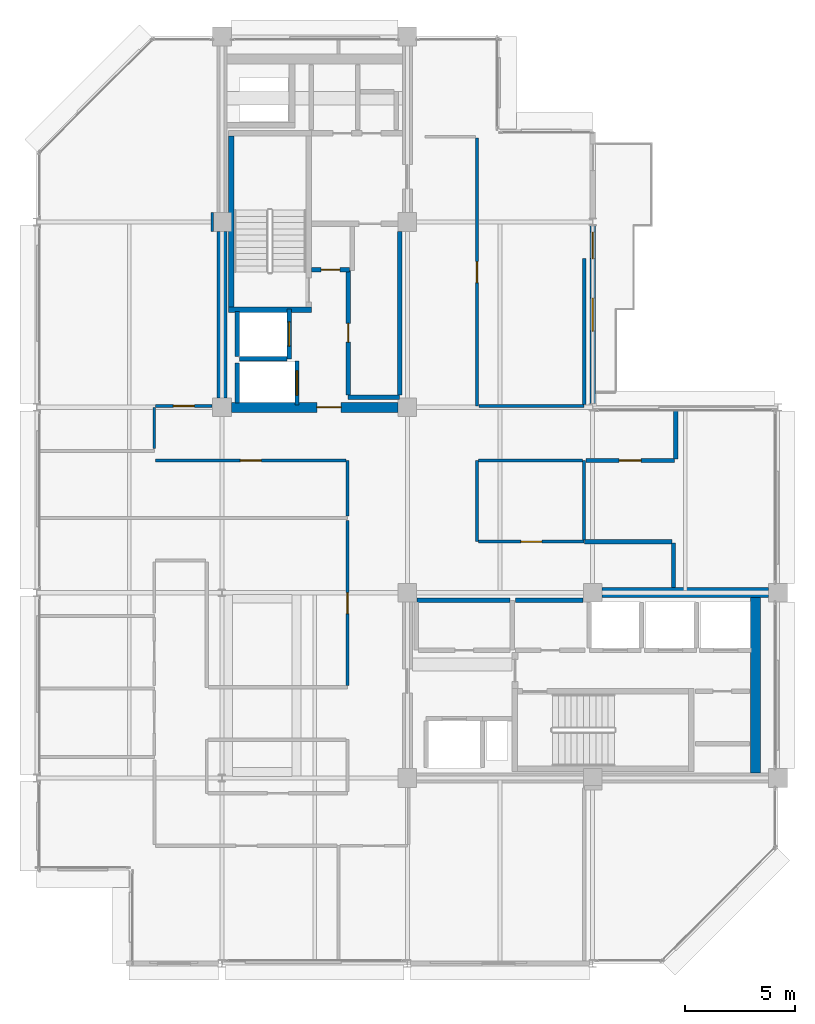
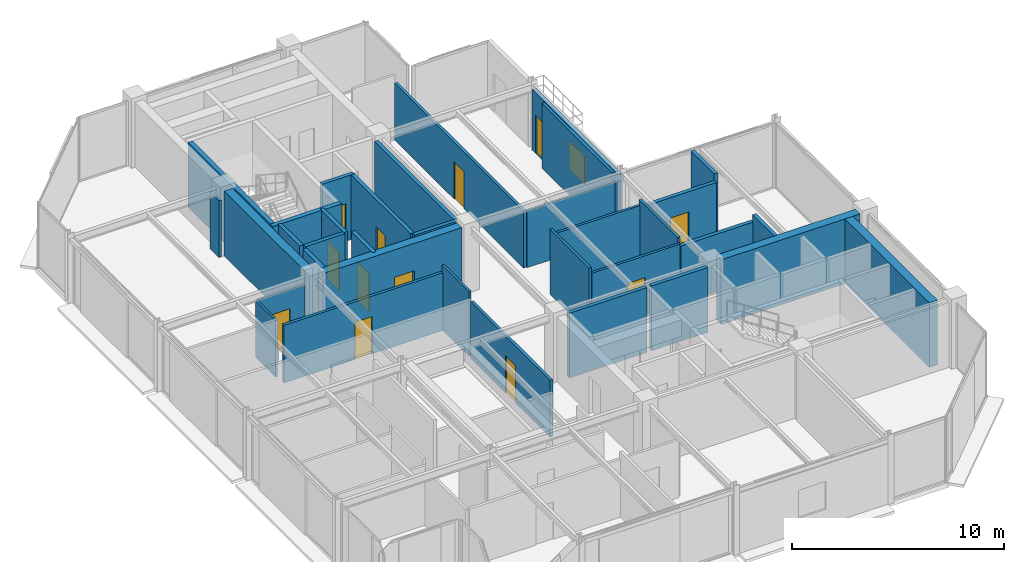
# One storey, part 21 of 25: 35 walls, 12 doors, 1 window, 13 openings.
"""IFC4 building model written with IfcOpenShell, lengths in metres."""

from ifc_helpers import new_model, si_unit, direction, frame, frame_2d, origin, place, context, subcontext, project, spatial, rectangle, extrude, material, layer, layer_set, type_object, element, fill, save


model = new_model("IFC4")

# Units and contexts
model_context = context("Model", 3, precision=1e-05, world=origin(), true_north=direction((0.0, 1.0)))
body_context = subcontext(model_context, "Body", "Model", "MODEL_VIEW")
ifc_project = project(units=[si_unit("LENGTHUNIT", "METRE"), si_unit("AREAUNIT", "SQUARE_METRE"), si_unit("VOLUMEUNIT", "CUBIC_METRE"), si_unit("PLANEANGLEUNIT", "RADIAN"), si_unit("MASSUNIT", "GRAM", prefix="KILO")], contexts=[model_context])

# Site, building, storey
site_placement = place(None, origin())
site = spatial("IfcSite", under=ifc_project, at=site_placement, CompositionType="ELEMENT")
building_placement = place(site_placement, origin())
building = spatial("IfcBuilding", under=site, at=building_placement, Name="Nerrivon Quay Data Exchange", CompositionType="ELEMENT")
storey_placement = place(building_placement, frame((0.0, 0.0, 314.199951171875)))
storey = spatial("IfcBuildingStorey", under=building, at=storey_placement, Name="L75", CompositionType="ELEMENT", Elevation=314.199951171875)

# Wall, openings, door, window
ifc_material_1 = material(Name="Architectural terracotta precast concrete N50 (50 MPa)", Category="masonry")
ifc_layer_1 = layer(ifc_material_1, 0.239990234375)
ifc_layer_set_1 = layer_set([ifc_layer_1], Name="Architectural terracotta precast concrete N50 (50 MPa)")
wall_type_1 = type_object("IfcWallType", Name="EW-PREC-240", PredefinedType="STANDARD", material=ifc_layer_set_1)
wall_1_placement = place(storey_placement, frame((25.199951171875, 33.4365234375, 0.0), z_axis=(0.0, 0.0, 1.0), x_axis=(0.0, -1.0, 0.0)))
wall_1 = element("IfcWall", 1, at=wall_1_placement, inside=storey, type_object=wall_type_1, Name="L75 Terrace Host Wall 20", PredefinedType="STANDARD", context=body_context, shape_type="SweptSolid", body=[
    extrude(rectangle(XDim=8.072998046875, YDim=0.239990234375, at=frame_2d((4.03662109375, 0.0))), origin(), (0.0, 0.0, 1.0), 3.47509765625),
])
opening_1_placement = place(wall_1_placement, frame((0.300048828125, 0.0, 0.0)))
opening_1 = element("IfcOpeningElement", 2, at=opening_1_placement, cuts=wall_1, Name="Opening TD1", PredefinedType="OPENING", context=body_context, shape_type="SweptSolid", body=[
    extrude(rectangle(XDim=1.199951171875, YDim=2.199951171875, at=frame_2d((0.60009765625, 1.10009765625))), frame((0.0, 0.1298828125, 0.0), z_axis=(0.0, -1.0, 0.0), x_axis=(1.0, 0.0, 0.0)), (0.0, 0.0, 1.0), 0.260009765625),
])
opening_2_placement = place(wall_1_placement, frame((3.28662109375, 0.0, 0.89990234375)))
opening_2 = element("IfcOpeningElement", 3, at=opening_2_placement, cuts=wall_1, Name="Opening WN4", PredefinedType="OPENING", context=body_context, shape_type="SweptSolid", body=[
    extrude(rectangle(XDim=1.5, YDim=1.60009765625, at=frame_2d((0.75, 0.800048828125))), frame((0.0, 0.1298828125, 0.0), z_axis=(0.0, -1.0, 0.0), x_axis=(1.0, 0.0, 0.0)), (0.0, 0.0, 1.0), 0.260009765625),
])
ifc_material_2 = material(Name="Double-glazed low-E solar control glass", Category="glass")
door_type_1 = type_object("IfcDoorType", Name="DR-TERR-1200x2200", OperationType="NOTDEFINED", PredefinedType="DOOR", material=ifc_material_2)
door_1_placement = place(opening_1_placement, origin())
door_1 = element("IfcDoor", 4, at=door_1_placement, inside=storey, type_object=door_type_1, Name="L75 Outdoor Terrace Access Door 20", OperationType="SINGLE_SWING_LEFT", OverallHeight=2.199951171875, OverallWidth=1.199951171875, PredefinedType="DOOR", context=body_context, shape_type="SweptSolid", body=[
    extrude(rectangle(XDim=1.199951171875, YDim=2.199951171875, at=frame_2d((0.60009765625, 1.10009765625))), frame((0.0, 0.02490234375, 0.0), z_axis=(0.0, -1.0, 0.0), x_axis=(1.0, 0.0, 0.0)), (0.0, 0.0, 1.0), 0.050048828125),
])
fill(opening_1, door_1)
window_type = type_object("IfcWindowType", Name="WIN-W4-1500x1600", PartitioningType="SINGLE_PANEL", PredefinedType="WINDOW", material=ifc_material_2)
window_placement = place(opening_2_placement, origin())
window = element("IfcWindow", 5, at=window_placement, inside=storey, type_object=window_type, Name="L75 Terrace Side Window 20", OverallHeight=1.60009765625, OverallWidth=1.5, PartitioningType="SINGLE_PANEL", PredefinedType="WINDOW", context=body_context, shape_type="SweptSolid", body=[
    extrude(rectangle(XDim=1.5, YDim=1.60009765625, at=frame_2d((0.75, 0.800048828125))), frame((0.0, 0.030029296875, 0.0), z_axis=(0.0, -1.0, 0.0), x_axis=(1.0, 0.0, 0.0)), (0.0, 0.0, 1.0), 0.06005859375),
])
fill(opening_2, window)

# Wall
ifc_material_3 = material(Name="Concrete N50 (50 MPa)", Category="concrete")
ifc_layer_2 = layer(ifc_material_3, 0.449951171875)
ifc_layer_set_2 = layer_set([ifc_layer_2], Name="Concrete N50 (50 MPa)")
wall_type_2 = type_object("IfcWallType", Name="WALL-CW-550", PredefinedType="SHEAR", material=ifc_layer_set_2)
wall_2_placement = place(storey_placement, frame((8.39990234375, 25.625, 0.0), z_axis=(0.0, 0.0, 1.0), x_axis=(0.0, 1.0, 0.0)))
element("IfcWall", 6, at=wall_2_placement, inside=storey, type_object=wall_type_2, Name="L75 West Split-Core Shear Wall WCW-W1", PredefinedType="SHEAR", context=body_context, shape_type="SweptSolid", body=[
    extrude(rectangle(XDim=7.550048828125, YDim=0.449951171875, at=frame_2d((3.77490234375, 0.0))), origin(), (0.0, 0.0, 1.0), 3.72509765625),
])

# Wall, opening, door
wall_3_placement = place(storey_placement, frame((8.824951171875, 25.199951171875, 0.0), z_axis=(0.0, 0.0, 1.0), x_axis=(1.0, 0.0, 0.0)))
wall_3 = element("IfcWall", 7, at=wall_3_placement, inside=storey, type_object=wall_type_2, Name="L75 West Split-Core Shear Wall WCW-S1", PredefinedType="SHEAR", context=body_context, shape_type="SweptSolid", body=[
    extrude(rectangle(XDim=7.550048828125, YDim=0.449951171875, at=frame_2d((3.77490234375, 0.0))), origin(), (0.0, 0.0, 1.0), 3.72509765625),
])
opening_3_placement = place(wall_3_placement, frame((3.875, 0.0, 0.0)))
opening_3 = element("IfcOpeningElement", 8, at=opening_3_placement, cuts=wall_3, Name="Opening FD-120", PredefinedType="OPENING", context=body_context, shape_type="SweptSolid", body=[
    extrude(rectangle(XDim=1.10009765625, YDim=2.14990234375, at=frame_2d((0.550048828125, 1.074951171875))), frame((0.0, 0.23486328125, 0.0), z_axis=(0.0, -1.0, 0.0), x_axis=(1.0, 0.0, 0.0)), (0.0, 0.0, 1.0), 0.469970703125),
])
ifc_material_4 = material(Name="Powder-coated galvanized steel sheet", Category="steel")
door_type_2 = type_object("IfcDoorType", Name="DR-FD120-1100", OperationType="NOTDEFINED", PredefinedType="DOOR", material=ifc_material_4)
door_2_placement = place(opening_3_placement, origin())
door_2 = element("IfcDoor", 9, at=door_2_placement, inside=storey, type_object=door_type_2, Name="L75 West Core Lobby Fire Door", OperationType="SINGLE_SWING_RIGHT", OverallHeight=2.14990234375, OverallWidth=1.10009765625, PredefinedType="DOOR", context=body_context, shape_type="SweptSolid", body=[
    extrude(rectangle(XDim=1.10009765625, YDim=2.14990234375, at=frame_2d((0.550048828125, 1.074951171875))), frame((0.0, 0.02490234375, 0.0), z_axis=(0.0, -1.0, 0.0), x_axis=(1.0, 0.0, 0.0)), (0.0, 0.0, 1.0), 0.050048828125),
])
fill(opening_3, door_2)

# Walls
wall_4_placement = place(storey_placement, frame((32.574951171875, 8.625, 0.0), z_axis=(0.0, 0.0, 1.0), x_axis=(0.0, 1.0, 0.0)))
element("IfcWall", 10, at=wall_4_placement, inside=storey, type_object=wall_type_2, Name="L75 East Split-Core Shear Wall ECW-E1", PredefinedType="SHEAR", context=body_context, shape_type="SweptSolid", body=[
    extrude(rectangle(XDim=7.949951171875, YDim=0.449951171875, at=frame_2d((3.97509765625, 0.0))), origin(), (0.0, 0.0, 1.0), 3.72509765625),
])
wall_5_placement = place(storey_placement, frame((25.625, 16.800048828125, 0.0), z_axis=(0.0, 0.0, 1.0), x_axis=(1.0, 0.0, 0.0)))
element("IfcWall", 11, at=wall_5_placement, inside=storey, type_object=wall_type_2, Name="L75 East Split-Core Shear Wall ECW-N1", PredefinedType="SHEAR", context=body_context, shape_type="SweptSolid", body=[
    extrude(rectangle(XDim=7.550048828125, YDim=0.449951171875, at=frame_2d((3.77490234375, 0.0))), origin(), (0.0, 0.0, 1.0), 3.72509765625),
])

# Wall, opening, door
ifc_material_5 = material(Name="Gypsum plasterboard on cold-formed framing", Category="gypsum")
ifc_layer_3 = layer(ifc_material_5, 0.199951171875)
ifc_layer_set_3 = layer_set([ifc_layer_3], Name="Gypsum plasterboard on cold-formed framing")
wall_type_3 = type_object("IfcWallType", Name="WALL-FW-200", PredefinedType="PARTITIONING", material=ifc_layer_set_3)
wall_6_placement = place(storey_placement, frame((11.449951171875, 27.39990234375, 0.0), z_axis=(0.0, 0.0, 1.0), x_axis=(0.0, 1.0, 0.0)))
wall_6 = element("IfcWall", 12, at=wall_6_placement, inside=storey, type_object=wall_type_3, Name="L75 Lift Front Wall FFL-1", PredefinedType="PARTITIONING", context=body_context, shape_type="SweptSolid", body=[
    extrude(rectangle(XDim=2.25, YDim=0.199951171875, at=frame_2d((1.125, 0.0))), origin(), (0.0, 0.0, 1.0), 3.72509765625),
])
opening_4_placement = place(wall_6_placement, frame((0.574951171875, 0.0, 0.0)))
opening_4 = element("IfcOpeningElement", 13, at=opening_4_placement, cuts=wall_6, Name="Opening LD-120", PredefinedType="OPENING", context=body_context, shape_type="SweptSolid", body=[
    extrude(rectangle(XDim=1.10009765625, YDim=2.199951171875, at=frame_2d((0.550048828125, 1.10009765625))), frame((0.0, 0.10986328125, 0.0), z_axis=(0.0, -1.0, 0.0), x_axis=(1.0, 0.0, 0.0)), (0.0, 0.0, 1.0), 0.219970703125),
])
door_type_3 = type_object("IfcDoorType", Name="DR-LIFT-LD120", OperationType="DOUBLE_DOOR_SLIDING", PredefinedType="DOOR", material=ifc_material_4)
door_3_placement = place(opening_4_placement, origin())
door_3 = element("IfcDoor", 14, at=door_3_placement, inside=storey, type_object=door_type_3, Name="L75 Lift Landing Sliding Door FFL-1", OperationType="DOUBLE_DOOR_SLIDING", OverallHeight=2.199951171875, OverallWidth=1.10009765625, PredefinedType="DOOR", context=body_context, shape_type="SweptSolid", body=[
    extrude(rectangle(XDim=1.10009765625, YDim=2.199951171875, at=frame_2d((0.550048828125, 1.10009765625))), frame((0.0, 0.02490234375, 0.0), z_axis=(0.0, -1.0, 0.0), x_axis=(1.0, 0.0, 0.0)), (0.0, 0.0, 1.0), 0.050048828125),
])
fill(opening_4, door_3)

# Walls
wall_7_placement = place(storey_placement, frame((9.10009765625, 27.5, 0.0), z_axis=(0.0, 0.0, 1.0), x_axis=(0.0, 1.0, 0.0)))
element("IfcWall", 15, at=wall_7_placement, inside=storey, type_object=wall_type_3, Name="L75 Lift Shaft Wall FFL-1 WEST", PredefinedType="PARTITIONING", context=body_context, shape_type="SweptSolid", body=[
    extrude(rectangle(XDim=2.050048828125, YDim=0.199951171875, at=frame_2d((1.02490234375, 0.0))), origin(), (0.0, 0.0, 1.0), 3.72509765625),
])
wall_8_placement = place(storey_placement, frame((9.199951171875, 27.39990234375, 0.0), z_axis=(0.0, 0.0, 1.0), x_axis=(1.0, 0.0, 0.0)))
element("IfcWall", 16, at=wall_8_placement, inside=storey, type_object=wall_type_3, Name="L75 Lift Shaft Wall FFL-1 SOUTH", PredefinedType="PARTITIONING", context=body_context, shape_type="SweptSolid", body=[
    extrude(rectangle(XDim=2.150146484375, YDim=0.199951171875, at=frame_2d((1.0751953125, 0.0))), origin(), (0.0, 0.0, 1.0), 3.72509765625),
])

# Wall, opening, door
wall_9_placement = place(storey_placement, frame((11.800048828125, 25.300048828125, 0.0), z_axis=(0.0, 0.0, 1.0), x_axis=(0.0, 1.0, 0.0)))
wall_9 = element("IfcWall", 17, at=wall_9_placement, inside=storey, type_object=wall_type_3, Name="L75 Lift Front Wall SVL-1", PredefinedType="PARTITIONING", context=body_context, shape_type="SweptSolid", body=[
    extrude(rectangle(XDim=2.0, YDim=0.199951171875, at=frame_2d((1.0, 0.0))), origin(), (0.0, 0.0, 1.0), 3.72509765625),
])
opening_5_placement = place(wall_9_placement, frame((0.449951171875, 0.0, 0.0)))
opening_5 = element("IfcOpeningElement", 18, at=opening_5_placement, cuts=wall_9, Name="Opening LD-120", PredefinedType="OPENING", context=body_context, shape_type="SweptSolid", body=[
    extrude(rectangle(XDim=1.10009765625, YDim=2.199951171875, at=frame_2d((0.550048828125, 1.10009765625))), frame((0.0, 0.10986328125, 0.0), z_axis=(0.0, -1.0, 0.0), x_axis=(1.0, 0.0, 0.0)), (0.0, 0.0, 1.0), 0.219970703125),
])
door_4_placement = place(opening_5_placement, origin())
door_4 = element("IfcDoor", 19, at=door_4_placement, inside=storey, type_object=door_type_3, Name="L75 Lift Landing Sliding Door SVL-1", OperationType="DOUBLE_DOOR_SLIDING", OverallHeight=2.199951171875, OverallWidth=1.10009765625, PredefinedType="DOOR", context=body_context, shape_type="SweptSolid", body=[
    extrude(rectangle(XDim=1.10009765625, YDim=2.199951171875, at=frame_2d((0.550048828125, 1.10009765625))), frame((0.0, 0.02490234375, 0.0), z_axis=(0.0, -1.0, 0.0), x_axis=(1.0, 0.0, 0.0)), (0.0, 0.0, 1.0), 0.050048828125),
])
fill(opening_5, door_4)

# Walls
wall_10_placement = place(storey_placement, frame((9.10009765625, 25.39990234375, 0.0), z_axis=(0.0, 0.0, 1.0), x_axis=(0.0, 1.0, 0.0)))
element("IfcWall", 20, at=wall_10_placement, inside=storey, type_object=wall_type_3, Name="L75 Lift Shaft Wall SVL-1 WEST", PredefinedType="PARTITIONING", context=body_context, shape_type="SweptSolid", body=[
    extrude(rectangle(XDim=1.800048828125, YDim=0.199951171875, at=frame_2d((0.89990234375, 0.0))), origin(), (0.0, 0.0, 1.0), 3.72509765625),
])
wall_11_placement = place(storey_placement, frame((14.1201171875, 25.64990234375, 0.0), z_axis=(0.0, 0.0, 1.0), x_axis=(1.0, 0.0, 0.0)))
element("IfcWall", 21, at=wall_11_placement, inside=storey, type_object=wall_type_3, Name="L75 Partition Core Equipment Store", PredefinedType="PARTITIONING", context=body_context, shape_type="SweptSolid", body=[
    extrude(rectangle(XDim=2.329833984375, YDim=0.199951171875, at=frame_2d((1.1650390625, 0.0))), origin(), (0.0, 0.0, 1.0), 3.72509765625),
])
wall_12_placement = place(storey_placement, frame((16.449951171875, 25.75390625, 0.0), z_axis=(0.0, 0.0, 1.0), x_axis=(0.0, 1.0, 0.0)))
element("IfcWall", 22, at=wall_12_placement, inside=storey, type_object=wall_type_3, Name="L75 Partition Core Equipment Store", PredefinedType="PARTITIONING", context=body_context, shape_type="SweptSolid", body=[
    extrude(rectangle(XDim=7.416015625, YDim=0.199951171875, at=frame_2d((3.7080078125, 0.0))), origin(), (0.0, 0.0, 1.0), 3.72509765625),
])

# Wall, opening, door
wall_13_placement = place(storey_placement, frame((14.1201171875, 31.39990234375, 0.0), z_axis=(0.0, 0.0, 1.0), x_axis=(0.0, -1.0, 0.0)))
wall_13 = element("IfcWall", 23, at=wall_13_placement, inside=storey, type_object=wall_type_3, Name="L75 Partition Core Equipment Store", PredefinedType="PARTITIONING", context=body_context, shape_type="SweptSolid", body=[
    extrude(rectangle(XDim=5.64599609375, YDim=0.199951171875, at=frame_2d((2.822998046875, 0.0))), origin(), (0.0, 0.0, 1.0), 3.72509765625),
])
opening_6_placement = place(wall_13_placement, frame((2.39794921875, 0.0, 0.0)))
opening_6 = element("IfcOpeningElement", 24, at=opening_6_placement, cuts=wall_13, Name="Opening FD-60S", PredefinedType="OPENING", context=body_context, shape_type="SweptSolid", body=[
    extrude(rectangle(XDim=0.85009765625, YDim=2.14990234375, at=frame_2d((0.425048828125, 1.074951171875))), frame((0.0, 0.10986328125, 0.0), z_axis=(0.0, -1.0, 0.0), x_axis=(1.0, 0.0, 0.0)), (0.0, 0.0, 1.0), 0.219970703125),
])
ifc_material_6 = material(Name="Engineered hardwood timber", Category="wood")
door_type_4 = type_object("IfcDoorType", Name="DR-FD60-850", OperationType="NOTDEFINED", PredefinedType="DOOR", material=ifc_material_6)
door_5_placement = place(opening_6_placement, origin())
door_5 = element("IfcDoor", 25, at=door_5_placement, inside=storey, type_object=door_type_4, Name="L75 Door Core Equipment Store", OperationType="SINGLE_SWING_RIGHT", OverallHeight=2.14990234375, OverallWidth=0.85009765625, PredefinedType="DOOR", context=body_context, shape_type="SweptSolid", body=[
    extrude(rectangle(XDim=0.85009765625, YDim=2.14990234375, at=frame_2d((0.425048828125, 1.074951171875))), frame((0.0, 0.02490234375, 0.0), z_axis=(0.0, -1.0, 0.0), x_axis=(1.0, 0.0, 0.0)), (0.0, 0.0, 1.0), 0.050048828125),
])
fill(opening_6, door_5)

wall_14_placement = place(storey_placement, frame((12.4541015625, 31.43994140625, 0.0), z_axis=(0.0, 0.0, 1.0), x_axis=(1.0, 0.0, 0.0)))
wall_14 = element("IfcWall", 26, at=wall_14_placement, inside=storey, type_object=wall_type_3, Name="L75 Partition Optical Patch Closet", PredefinedType="PARTITIONING", context=body_context, shape_type="SweptSolid", body=[
    extrude(rectangle(XDim=1.725830078125, YDim=0.199951171875, at=frame_2d((0.86279296875, 0.0))), origin(), (0.0, 0.0, 1.0), 3.72509765625),
])
opening_7_placement = place(wall_14_placement, frame((0.43798828125, 0.0, 0.0)))
opening_7 = element("IfcOpeningElement", 27, at=opening_7_placement, cuts=wall_14, Name="Opening FD-60S", PredefinedType="OPENING", context=body_context, shape_type="SweptSolid", body=[
    extrude(rectangle(XDim=0.85009765625, YDim=2.14990234375, at=frame_2d((0.425048828125, 1.074951171875))), frame((0.0, 0.10986328125, 0.0), z_axis=(0.0, -1.0, 0.0), x_axis=(1.0, 0.0, 0.0)), (0.0, 0.0, 1.0), 0.219970703125),
])
door_6_placement = place(opening_7_placement, origin())
door_6 = element("IfcDoor", 28, at=door_6_placement, inside=storey, type_object=door_type_4, Name="L75 Door Optical Patch Closet", OperationType="SINGLE_SWING_LEFT", OverallHeight=2.14990234375, OverallWidth=0.85009765625, PredefinedType="DOOR", context=body_context, shape_type="SweptSolid", body=[
    extrude(rectangle(XDim=0.85009765625, YDim=2.14990234375, at=frame_2d((0.425048828125, 1.074951171875))), frame((0.0, 0.02490234375, 0.0), z_axis=(0.0, -1.0, 0.0), x_axis=(1.0, 0.0, 0.0)), (0.0, 0.0, 1.0), 0.050048828125),
])
fill(opening_7, door_6)

# Walls
wall_15_placement = place(storey_placement, frame((21.446044921875, 16.449951171875, 0.0), z_axis=(0.0, 0.0, 1.0), x_axis=(-1.0, 0.0, 0.0)))
element("IfcWall", 29, at=wall_15_placement, inside=storey, type_object=wall_type_3, Name="L75 Partition High-Zone Calibration Store", PredefinedType="PARTITIONING", context=body_context, shape_type="SweptSolid", body=[
    extrude(rectangle(XDim=4.216064453125, YDim=0.199951171875, at=frame_2d((2.10791015625, 0.0))), origin(), (0.0, 0.0, 1.0), 3.72509765625),
])
wall_16_placement = place(storey_placement, frame((24.77001953125, 16.449951171875, 0.0), z_axis=(0.0, 0.0, 1.0), x_axis=(-1.0, 0.0, 0.0)))
element("IfcWall", 30, at=wall_16_placement, inside=storey, type_object=wall_type_3, Name="L75 Partition High-Zone Network Closet", PredefinedType="PARTITIONING", context=body_context, shape_type="SweptSolid", body=[
    extrude(rectangle(XDim=3.070068359375, YDim=0.199951171875, at=frame_2d((1.53515625, 0.0))), origin(), (0.0, 0.0, 1.0), 3.72509765625),
])
wall_17_placement = place(storey_placement, frame((28.9599609375, 25.031005859375, 0.0), z_axis=(0.0, 0.0, 1.0), x_axis=(0.0, -1.0, 0.0)))
element("IfcWall", 31, at=wall_17_placement, inside=storey, type_object=wall_type_3, Name="L75 Partition Colocation Data Workspace 1", PredefinedType="PARTITIONING", context=body_context, shape_type="SweptSolid", body=[
    extrude(rectangle(XDim=2.180908203125, YDim=0.199951171875, at=frame_2d((1.09033203125, 0.0))), origin(), (0.0, 0.0, 1.0), 3.72509765625),
])

# Wall, opening, door
wall_18_placement = place(storey_placement, frame((28.89990234375, 22.7900390625, 0.0), z_axis=(0.0, 0.0, 1.0), x_axis=(-1.0, 0.0, 0.0)))
wall_18 = element("IfcWall", 32, at=wall_18_placement, inside=storey, type_object=wall_type_3, Name="L75 Partition Colocation Data Workspace 1", PredefinedType="PARTITIONING", context=body_context, shape_type="SweptSolid", body=[
    extrude(rectangle(XDim=4.012451171875, YDim=0.199951171875, at=frame_2d((2.00634765625, 0.0))), origin(), (0.0, 0.0, 1.0), 3.319091796875),
])
opening_8_placement = place(wall_18_placement, frame((1.506103515625, 0.0, 0.0)))
opening_8 = element("IfcOpeningElement", 33, at=opening_8_placement, cuts=wall_18, Name="Opening FD-60", PredefinedType="OPENING", context=body_context, shape_type="SweptSolid", body=[
    extrude(rectangle(XDim=1.0, YDim=2.14990234375, at=frame_2d((0.5, 1.074951171875))), frame((0.0, 0.10986328125, 0.0), z_axis=(0.0, -1.0, 0.0), x_axis=(1.0, 0.0, 0.0)), (0.0, 0.0, 1.0), 0.219970703125),
])
door_type_5 = type_object("IfcDoorType", Name="DR-FD60-1000", OperationType="NOTDEFINED", PredefinedType="DOOR", material=ifc_material_6)
door_7_placement = place(opening_8_placement, origin())
door_7 = element("IfcDoor", 34, at=door_7_placement, inside=storey, type_object=door_type_5, Name="L75 Door Colocation Data Workspace 1", OperationType="SINGLE_SWING_RIGHT", OverallHeight=2.14990234375, OverallWidth=1.0, PredefinedType="DOOR", context=body_context, shape_type="SweptSolid", body=[
    extrude(rectangle(XDim=1.0, YDim=2.14990234375, at=frame_2d((0.5, 1.074951171875))), frame((0.0, 0.02490234375, 0.0), z_axis=(0.0, -1.0, 0.0), x_axis=(1.0, 0.0, 0.0)), (0.0, 0.0, 1.0), 0.050048828125),
])
fill(opening_8, door_7)

# Walls
wall_19_placement = place(storey_placement, frame((24.8359375, 19.110107421875, 0.0), z_axis=(0.0, 0.0, 1.0), x_axis=(1.0, 0.0, 0.0)))
element("IfcWall", 35, at=wall_19_placement, inside=storey, type_object=wall_type_3, Name="L75 Partition Colocation Data Workspace 1", PredefinedType="PARTITIONING", context=body_context, shape_type="SweptSolid", body=[
    extrude(rectangle(XDim=3.964111328125, YDim=0.199951171875, at=frame_2d((1.98193359375, 0.0))), origin(), (0.0, 0.0, 1.0), 3.319091796875),
])
wall_20_placement = place(storey_placement, frame((28.860107421875, 19.050048828125, 0.0), z_axis=(0.0, 0.0, 1.0), x_axis=(0.0, -1.0, 0.0)))
element("IfcWall", 36, at=wall_20_placement, inside=storey, type_object=wall_type_3, Name="L75 Partition Colocation Data Workspace 1", PredefinedType="PARTITIONING", context=body_context, shape_type="SweptSolid", body=[
    extrude(rectangle(XDim=2.02099609375, YDim=0.199951171875, at=frame_2d((1.010498046875, 0.0))), origin(), (0.0, 0.0, 1.0), 3.72509765625),
])
ifc_layer_4 = layer(ifc_material_5, 0.1201171875)
ifc_layer_set_4 = layer_set([ifc_layer_4], Name="Gypsum plasterboard on cold-formed framing")
wall_type_4 = type_object("IfcWallType", Name="WALL-PT-120", PredefinedType="PARTITIONING", material=ifc_layer_set_4)
wall_21_placement = place(storey_placement, frame((14.090087890625, 20.265869140625, 0.0), z_axis=(0.0, 0.0, 1.0), x_axis=(0.0, 1.0, 0.0)))
element("IfcWall", 37, at=wall_21_placement, inside=storey, type_object=wall_type_4, Name="L75 Partition Engineers Lounge", PredefinedType="PARTITIONING", context=body_context, shape_type="SweptSolid", body=[
    extrude(rectangle(XDim=2.524169921875, YDim=0.1201171875, at=frame_2d((1.26220703125, 0.0))), origin(), (0.0, 0.0, 1.0), 3.72509765625),
])
wall_22_placement = place(storey_placement, frame((5.340087890625, 23.33447265625, 0.0), z_axis=(0.0, 0.0, 1.0), x_axis=(0.0, 1.0, 0.0)))
element("IfcWall", 38, at=wall_22_placement, inside=storey, type_object=wall_type_4, Name="L75 Partition Optical Engineering Studios Workspace", PredefinedType="PARTITIONING", context=body_context, shape_type="SweptSolid", body=[
    extrude(rectangle(XDim=1.865478515625, YDim=0.1201171875, at=frame_2d((0.9326171875, 0.0))), origin(), (0.0, 0.0, 1.0), 3.27099609375),
])

# Wall, opening, door
wall_23_placement = place(storey_placement, frame((5.39990234375, 25.260009765625, 0.0), z_axis=(0.0, 0.0, 1.0), x_axis=(1.0, 0.0, 0.0)))
wall_23 = element("IfcWall", 39, at=wall_23_placement, inside=storey, type_object=wall_type_4, Name="L75 Partition Optical Engineering Studios Workspace", PredefinedType="PARTITIONING", context=body_context, shape_type="SweptSolid", body=[
    extrude(rectangle(XDim=2.55517578125, YDim=0.1201171875, at=frame_2d((1.277587890625, 0.0))), origin(), (0.0, 0.0, 1.0), 3.27099609375),
])
opening_9_placement = place(wall_23_placement, frame((0.802490234375, 0.0, 0.0)))
opening_9 = element("IfcOpeningElement", 40, at=opening_9_placement, cuts=wall_23, Name="Opening D-01", PredefinedType="OPENING", context=body_context, shape_type="SweptSolid", body=[
    extrude(rectangle(XDim=0.949951171875, YDim=2.14990234375, at=frame_2d((0.47509765625, 1.074951171875))), frame((0.0, 0.070068359375, 0.0), z_axis=(0.0, -1.0, 0.0), x_axis=(1.0, 0.0, 0.0)), (0.0, 0.0, 1.0), 0.14013671875),
])
door_type_6 = type_object("IfcDoorType", Name="DR-INT-950", OperationType="NOTDEFINED", PredefinedType="DOOR", material=ifc_material_6)
door_8_placement = place(opening_9_placement, origin())
door_8 = element("IfcDoor", 41, at=door_8_placement, inside=storey, type_object=door_type_6, Name="L75 Door Optical Engineering Studios Workspace", OperationType="SINGLE_SWING_LEFT", OverallHeight=2.14990234375, OverallWidth=0.949951171875, PredefinedType="DOOR", context=body_context, shape_type="SweptSolid", body=[
    extrude(rectangle(XDim=0.949951171875, YDim=2.14990234375, at=frame_2d((0.47509765625, 1.074951171875))), frame((0.0, 0.02490234375, 0.0), z_axis=(0.0, -1.0, 0.0), x_axis=(1.0, 0.0, 0.0)), (0.0, 0.0, 1.0), 0.050048828125),
])
fill(opening_9, door_8)

# Walls
wall_24_placement = place(storey_placement, frame((7.955810546875, 33.169189453125, 0.0), z_axis=(0.0, 0.0, 1.0), x_axis=(-0.000855919801, 0.999999633701, 0.0)))
element("IfcWall", 42, at=wall_24_placement, inside=storey, type_object=wall_type_4, Name="L75 Partition Optical Engineering Studios Workspace", PredefinedType="PARTITIONING", context=body_context, shape_type="SweptSolid", body=[
    extrude(rectangle(XDim=0.855712890625, YDim=0.1201171875, at=frame_2d((0.427734375, 0.0))), origin(), (0.0, 0.0, 1.0), 3.27099609375),
])
ifc_layer_5 = layer(ifc_material_5, 0.135009765625)
ifc_layer_set_5 = layer_set([ifc_layer_5], Name="Gypsum plasterboard on cold-formed framing")
wall_type_5 = type_object("IfcWallType", Name="WALL-PT-135", PredefinedType="PARTITIONING", material=ifc_layer_set_5)
wall_25_placement = place(storey_placement, frame((19.9599609375, 22.7900390625, 0.0), z_axis=(0.0, 0.0, 1.0), x_axis=(0.0, -1.0, 0.0)))
element("IfcWall", 43, at=wall_25_placement, inside=storey, type_object=wall_type_5, Name="L75 Partition Client Conference Room 1", PredefinedType="PARTITIONING", context=body_context, shape_type="SweptSolid", body=[
    extrude(rectangle(XDim=3.679931640625, YDim=0.135009765625, at=frame_2d((1.83984375, 0.0))), origin(), (0.0, 0.0, 1.0), 3.72509765625),
])

# Wall, opening, door
wall_26_placement = place(storey_placement, frame((20.031494140625, 19.110107421875, 0.0), z_axis=(0.0, 0.0, 1.0), x_axis=(1.0, 0.0, 0.0)))
wall_26 = element("IfcWall", 44, at=wall_26_placement, inside=storey, type_object=wall_type_5, Name="L75 Partition Client Conference Room 1", PredefinedType="PARTITIONING", context=body_context, shape_type="SweptSolid", body=[
    extrude(rectangle(XDim=4.784423828125, YDim=0.135009765625, at=frame_2d((2.39208984375, 0.0))), origin(), (0.0, 0.0, 1.0), 3.421142578125),
])
opening_10_placement = place(wall_26_placement, frame((1.917236328125, 0.0, 0.0)))
opening_10 = element("IfcOpeningElement", 45, at=opening_10_placement, cuts=wall_26, Name="Opening D-01", PredefinedType="OPENING", context=body_context, shape_type="SweptSolid", body=[
    extrude(rectangle(XDim=0.949951171875, YDim=2.14990234375, at=frame_2d((0.47509765625, 1.074951171875))), frame((0.0, 0.077392578125, 0.0), z_axis=(0.0, -1.0, 0.0), x_axis=(1.0, 0.0, 0.0)), (0.0, 0.0, 1.0), 0.155029296875),
])
door_9_placement = place(opening_10_placement, origin())
door_9 = element("IfcDoor", 46, at=door_9_placement, inside=storey, type_object=door_type_6, Name="L75 Door Client Conference Room 1", OperationType="SINGLE_SWING_RIGHT", OverallHeight=2.14990234375, OverallWidth=0.949951171875, PredefinedType="DOOR", context=body_context, shape_type="SweptSolid", body=[
    extrude(rectangle(XDim=0.949951171875, YDim=2.14990234375, at=frame_2d((0.47509765625, 1.074951171875))), frame((0.0, 0.02490234375, 0.0), z_axis=(0.0, -1.0, 0.0), x_axis=(1.0, 0.0, 0.0)), (0.0, 0.0, 1.0), 0.050048828125),
])
fill(opening_10, door_9)

# Walls
wall_27_placement = place(storey_placement, frame((24.81591796875, 19.181396484375, 0.0), z_axis=(0.0, 0.0, 1.0), x_axis=(0.0, 1.0, 0.0)))
element("IfcWall", 47, at=wall_27_placement, inside=storey, type_object=wall_type_5, Name="L75 Partition Client Conference Room 1", PredefinedType="PARTITIONING", context=body_context, shape_type="SweptSolid", body=[
    extrude(rectangle(XDim=3.608642578125, YDim=0.135009765625, at=frame_2d((1.80419921875, 0.0))), origin(), (0.0, 0.0, 1.0), 3.72509765625),
])
wall_28_placement = place(storey_placement, frame((24.744384765625, 22.7900390625, 0.0), z_axis=(0.0, 0.0, 1.0), x_axis=(-1.0, 0.0, 0.0)))
element("IfcWall", 48, at=wall_28_placement, inside=storey, type_object=wall_type_5, Name="L75 Partition Client Conference Room 1", PredefinedType="PARTITIONING", context=body_context, shape_type="SweptSolid", body=[
    extrude(rectangle(XDim=4.712890625, YDim=0.135009765625, at=frame_2d((2.3564453125, 0.0))), origin(), (0.0, 0.0, 1.0), 3.421142578125),
])
wall_29_placement = place(storey_placement, frame((20.0390625, 25.260009765625, 0.0), z_axis=(0.0, 0.0, 1.0), x_axis=(1.0, 0.0, 0.0)))
element("IfcWall", 49, at=wall_29_placement, inside=storey, type_object=wall_type_5, Name="L75 Partition Technical Library", PredefinedType="PARTITIONING", context=body_context, shape_type="SweptSolid", body=[
    extrude(rectangle(XDim=4.77685546875, YDim=0.135009765625, at=frame_2d((2.388427734375, 0.0))), origin(), (0.0, 0.0, 1.0), 3.27099609375),
])

# Wall, opening, door
ifc_layer_6 = layer(ifc_material_5, 0.14990234375)
ifc_layer_set_6 = layer_set([ifc_layer_6], Name="Gypsum plasterboard on cold-formed framing")
wall_type_6 = type_object("IfcWallType", Name="WALL-PT-150", PredefinedType="PARTITIONING", material=ifc_layer_set_6)
wall_30_placement = place(storey_placement, frame((14.02587890625, 22.7900390625, 0.0), z_axis=(0.0, 0.0, 1.0), x_axis=(-1.0, 0.0, 0.0)))
wall_30 = element("IfcWall", 50, at=wall_30_placement, inside=storey, type_object=wall_type_6, Name="L75 Partition Engineers Lounge", PredefinedType="PARTITIONING", context=body_context, shape_type="SweptSolid", body=[
    extrude(rectangle(XDim=8.6259765625, YDim=0.14990234375, at=frame_2d((4.31298828125, 0.0))), origin(), (0.0, 0.0, 1.0), 3.319091796875),
])
opening_11_placement = place(wall_30_placement, frame((3.837890625, 0.0, 0.0)))
opening_11 = element("IfcOpeningElement", 51, at=opening_11_placement, cuts=wall_30, Name="Opening D-01", PredefinedType="OPENING", context=body_context, shape_type="SweptSolid", body=[
    extrude(rectangle(XDim=0.949951171875, YDim=2.14990234375, at=frame_2d((0.47509765625, 1.074951171875))), frame((0.0, 0.0849609375, 0.0), z_axis=(0.0, -1.0, 0.0), x_axis=(1.0, 0.0, 0.0)), (0.0, 0.0, 1.0), 0.169921875),
])
door_10_placement = place(opening_11_placement, origin())
door_10 = element("IfcDoor", 52, at=door_10_placement, inside=storey, type_object=door_type_6, Name="L75 Door Engineers Lounge", OperationType="SINGLE_SWING_LEFT", OverallHeight=2.14990234375, OverallWidth=0.949951171875, PredefinedType="DOOR", context=body_context, shape_type="SweptSolid", body=[
    extrude(rectangle(XDim=0.949951171875, YDim=2.14990234375, at=frame_2d((0.47509765625, 1.074951171875))), frame((0.0, 0.02490234375, 0.0), z_axis=(0.0, -1.0, 0.0), x_axis=(1.0, 0.0, 0.0)), (0.0, 0.0, 1.0), 0.050048828125),
])
fill(opening_11, door_10)

wall_31_placement = place(storey_placement, frame((14.090087890625, 12.589111328125, 0.0), z_axis=(0.0, 0.0, 1.0), x_axis=(0.0, 1.0, 0.0)))
wall_31 = element("IfcWall", 53, at=wall_31_placement, inside=storey, type_object=wall_type_6, Name="L75 Partition Peering Huddle Meeting Room", PredefinedType="PARTITIONING", context=body_context, shape_type="SweptSolid", body=[
    extrude(rectangle(XDim=7.477783203125, YDim=0.14990234375, at=frame_2d((3.73876953125, 0.0))), origin(), (0.0, 0.0, 1.0), 3.27099609375),
])
opening_12_placement = place(wall_31_placement, frame((3.263916015625, 0.0, 0.0)))
opening_12 = element("IfcOpeningElement", 54, at=opening_12_placement, cuts=wall_31, Name="Opening D-01", PredefinedType="OPENING", context=body_context, shape_type="SweptSolid", body=[
    extrude(rectangle(XDim=0.949951171875, YDim=2.14990234375, at=frame_2d((0.47509765625, 1.074951171875))), frame((0.0, 0.0849609375, 0.0), z_axis=(0.0, -1.0, 0.0), x_axis=(1.0, 0.0, 0.0)), (0.0, 0.0, 1.0), 0.169921875),
])
door_11_placement = place(opening_12_placement, origin())
door_11 = element("IfcDoor", 55, at=door_11_placement, inside=storey, type_object=door_type_6, Name="L75 Door Peering Huddle Meeting Room", OperationType="SINGLE_SWING_LEFT", OverallHeight=2.14990234375, OverallWidth=0.949951171875, PredefinedType="DOOR", context=body_context, shape_type="SweptSolid", body=[
    extrude(rectangle(XDim=0.949951171875, YDim=2.14990234375, at=frame_2d((0.47509765625, 1.074951171875))), frame((0.0, 0.02490234375, 0.0), z_axis=(0.0, -1.0, 0.0), x_axis=(1.0, 0.0, 0.0)), (0.0, 0.0, 1.0), 0.050048828125),
])
fill(opening_12, door_11)

wall_32_placement = place(storey_placement, frame((19.9599609375, 37.39990234375, 0.0), z_axis=(0.0, 0.0, 1.0), x_axis=(0.0, -1.0, 0.0)))
wall_32 = element("IfcWall", 56, at=wall_32_placement, inside=storey, type_object=wall_type_6, Name="L75 Partition Technical Library", PredefinedType="PARTITIONING", context=body_context, shape_type="SweptSolid", body=[
    extrude(rectangle(XDim=12.139892578125, YDim=0.14990234375, at=frame_2d((6.06982421875, 0.0))), origin(), (0.0, 0.0, 1.0), 3.27099609375),
])
opening_13_placement = place(wall_32_placement, frame((5.594970703125, 0.0, 0.0)))
opening_13 = element("IfcOpeningElement", 57, at=opening_13_placement, cuts=wall_32, Name="Opening D-01", PredefinedType="OPENING", context=body_context, shape_type="SweptSolid", body=[
    extrude(rectangle(XDim=0.949951171875, YDim=2.14990234375, at=frame_2d((0.47509765625, 1.074951171875))), frame((0.0, 0.0849609375, 0.0), z_axis=(0.0, -1.0, 0.0), x_axis=(1.0, 0.0, 0.0)), (0.0, 0.0, 1.0), 0.169921875),
])
door_12_placement = place(opening_13_placement, origin())
door_12 = element("IfcDoor", 58, at=door_12_placement, inside=storey, type_object=door_type_6, Name="L75 Door Technical Library", OperationType="SINGLE_SWING_RIGHT", OverallHeight=2.14990234375, OverallWidth=0.949951171875, PredefinedType="DOOR", context=body_context, shape_type="SweptSolid", body=[
    extrude(rectangle(XDim=0.949951171875, YDim=2.14990234375, at=frame_2d((0.47509765625, 1.074951171875))), frame((0.0, 0.02490234375, 0.0), z_axis=(0.0, -1.0, 0.0), x_axis=(1.0, 0.0, 0.0)), (0.0, 0.0, 1.0), 0.050048828125),
])
fill(opening_13, door_12)

# Walls
wall_33_placement = place(storey_placement, frame((24.81591796875, 25.33154296875, 0.0), z_axis=(0.0, 0.0, 1.0), x_axis=(0.0, 1.0, 0.0)))
element("IfcWall", 59, at=wall_33_placement, inside=storey, type_object=wall_type_6, Name="L75 Partition Technical Library", PredefinedType="PARTITIONING", context=body_context, shape_type="SweptSolid", body=[
    extrude(rectangle(XDim=6.60498046875, YDim=0.14990234375, at=frame_2d((3.302490234375, 0.0))), origin(), (0.0, 0.0, 1.0), 3.72509765625),
])
ifc_layer_7 = layer(ifc_material_3, 0.25)
ifc_layer_set_7 = layer_set([ifc_layer_7], Name="Concrete N50 (50 MPa)")
wall_type_7 = type_object("IfcWallType", Name="WALL-SW-250", PredefinedType="SHEAR", material=ifc_layer_set_7)
wall_34_placement = place(storey_placement, frame((12.449951171875, 29.625, 0.0), z_axis=(0.0, 0.0, 1.0), x_axis=(-1.0, 0.0, 0.0)))
element("IfcWall", 60, at=wall_34_placement, inside=storey, type_object=wall_type_7, Name="L75 ST01 Structural Stair Core Wall NEAR", PredefinedType="SHEAR", context=body_context, shape_type="SweptSolid", body=[
    extrude(rectangle(XDim=3.75, YDim=0.25, at=frame_2d((1.875, 0.0))), origin(), (0.0, 0.0, 1.0), 3.72509765625),
])
wall_35_placement = place(storey_placement, frame((8.824951171875, 29.75, 0.0), z_axis=(0.0, 0.0, 1.0), x_axis=(0.0, 1.0, 0.0)))
element("IfcWall", 61, at=wall_35_placement, inside=storey, type_object=wall_type_7, Name="L75 ST01 Structural Stair Core Wall RIGHT", PredefinedType="SHEAR", context=body_context, shape_type="SweptSolid", body=[
    extrude(rectangle(XDim=7.75, YDim=0.25, at=frame_2d((3.875, 0.0))), origin(), (0.0, 0.0, 1.0), 3.72509765625),
])

save(model, "model.ifc")
